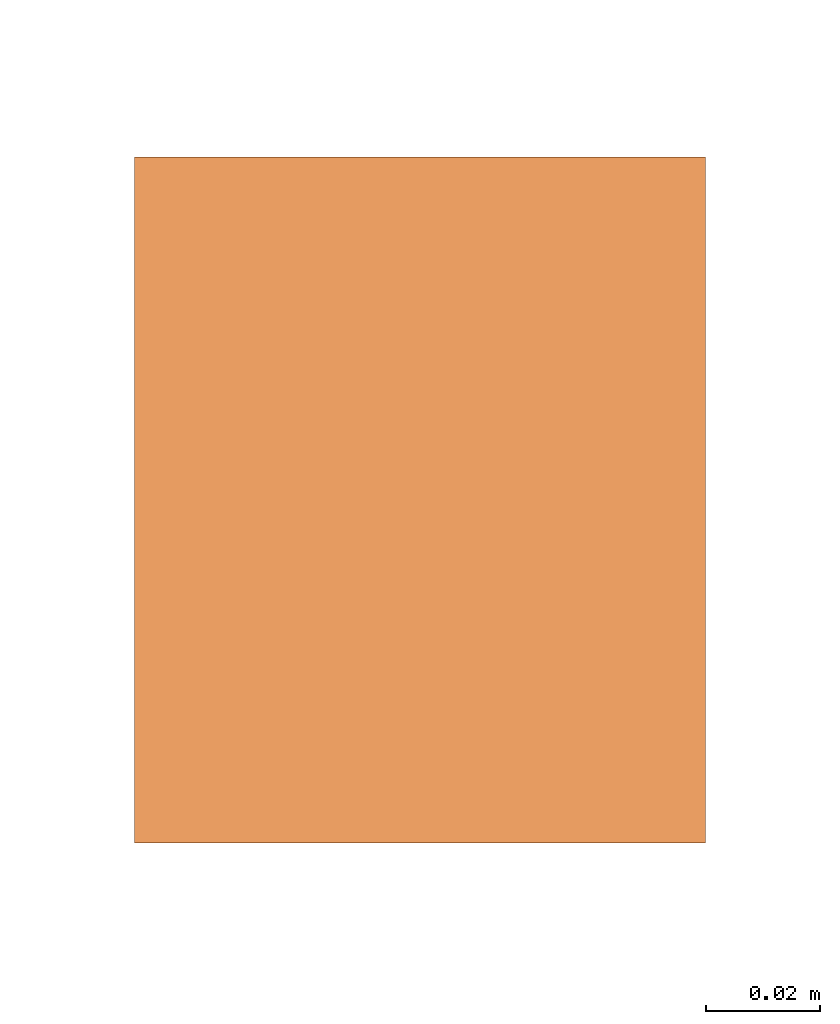
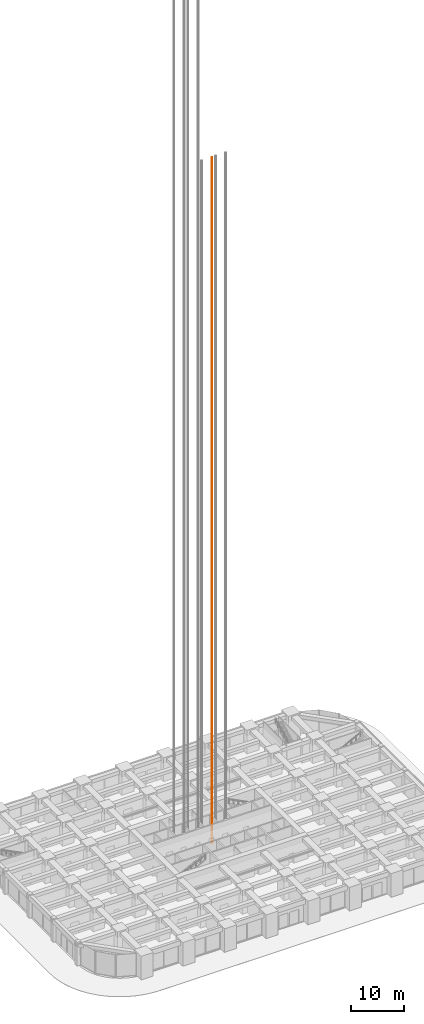
# One storey, part 55 of 56: 1 proxy.
"""IFC4 building model written with IfcOpenShell, lengths in metres."""

from ifc_helpers import new_model, si_unit, direction, frame, origin, origin_2d, place, context, subcontext, project, spatial, rectangle, extrude, element, save


model = new_model("IFC4")

# Units and contexts
model_context = context("Model", 3, precision=1e-05, world=origin(), true_north=direction((0.0, 1.0)))
body_context = subcontext(model_context, "Body", "Model", "MODEL_VIEW")
ifc_project = project(units=[si_unit("LENGTHUNIT", "METRE"), si_unit("AREAUNIT", "SQUARE_METRE"), si_unit("VOLUMEUNIT", "CUBIC_METRE"), si_unit("PLANEANGLEUNIT", "RADIAN"), si_unit("MASSUNIT", "GRAM", prefix="KILO")], contexts=[model_context])

# Site, building, storey
site_placement = place(None, origin())
site = spatial("IfcSite", under=ifc_project, at=site_placement, CompositionType="ELEMENT")
building_placement = place(site_placement, origin())
building = spatial("IfcBuilding", under=site, at=building_placement, Name="Zorevar Civic Tower", CompositionType="ELEMENT")
storey_placement = place(building_placement, origin())
storey = spatial("IfcBuildingStorey", under=building, at=storey_placement, Name="L00", CompositionType="ELEMENT", Elevation=0.0)

# Proxy
proxy_placement = place(storey_placement, frame((32.60009765625, 30.89990234375, 0.0), z_axis=(0.0, 0.0, 1.0), x_axis=(1.0, 0.0, 0.0)))
element("IfcBuildingElementProxy", 1, at=proxy_placement, inside=storey, Name="Passenger lift LM2 guide rail 2", PredefinedType="NOTDEFINED", context=body_context, shape_type="SweptSolid", body=[
    extrude(rectangle(XDim=0.10009765625, YDim=0.1201171875, at=origin_2d()), origin(), (0.0, 0.0, 1.0), 156.5),
])

save(model, "model.ifc")
